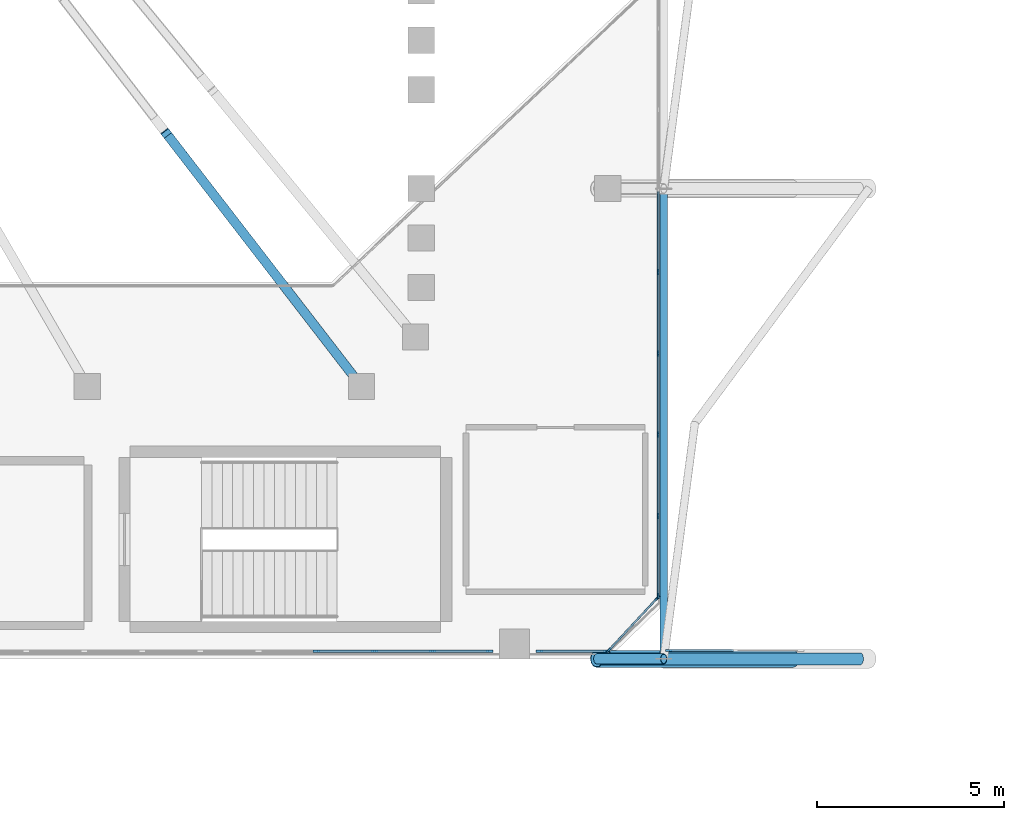
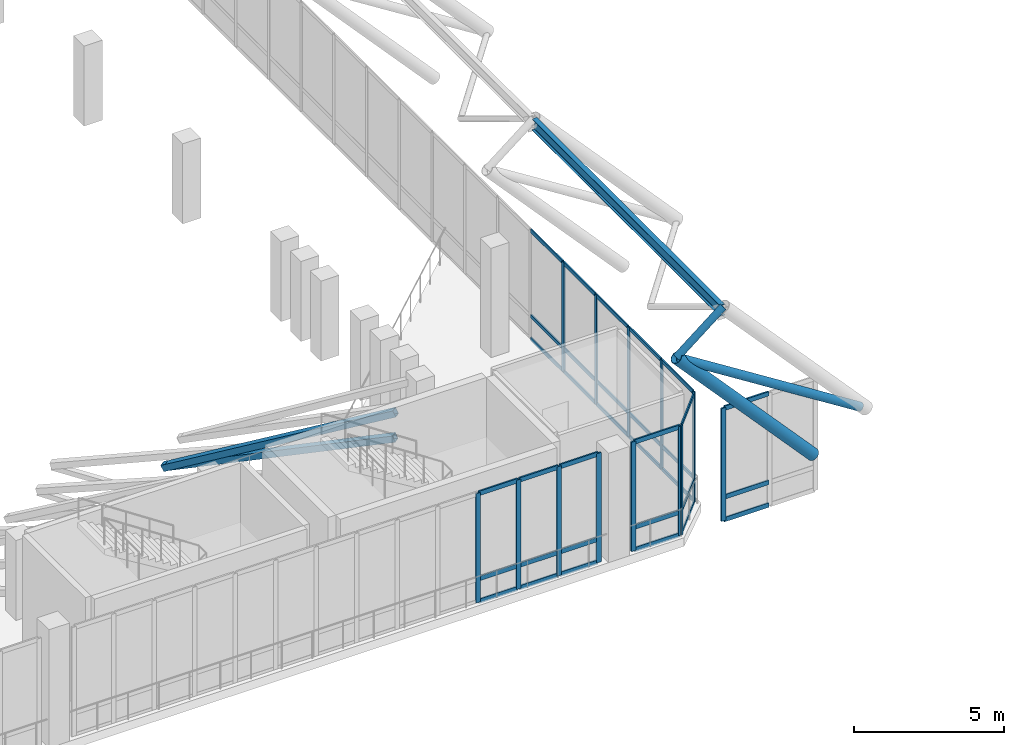
# One storey, part 16 of 79: 53 members, 5 elements without a shape of their own.
"""IFC4 building model written with IfcOpenShell, lengths in metres."""

from ifc_helpers import new_model, si_unit, derived_unit, direction, frame, origin, origin_2d, place, context, subcontext, project, spatial, rectangle, hollow_rectangle, hollow_circle, i_section, extrude, material, layer, layer_set, material_profile, profile_set, type_object, element, aggregate, save


model = new_model("IFC4")

# Units and contexts
model_context = context("Model", 3, precision=1e-05, world=origin(), true_north=direction((0.0, 1.0)))
body_context = subcontext(model_context, "Body", "Model", "MODEL_VIEW")
ifc_project = project(units=[si_unit("LENGTHUNIT", "METRE"), si_unit("AREAUNIT", "SQUARE_METRE"), si_unit("VOLUMEUNIT", "CUBIC_METRE"), si_unit("PLANEANGLEUNIT", "RADIAN"), si_unit("MASSUNIT", "GRAM", prefix="KILO"), derived_unit("THERMALTRANSMITTANCEUNIT", [(si_unit("MASSUNIT", "GRAM", prefix="KILO"), 1), (si_unit("TIMEUNIT", "SECOND"), -3), (si_unit("THERMODYNAMICTEMPERATUREUNIT", "KELVIN"), -1)])], contexts=[model_context])

# Site, building, storey
site_placement = place(None, origin())
site = spatial("IfcSite", under=ifc_project, at=site_placement, CompositionType="ELEMENT")
building_placement = place(site_placement, origin())
building = spatial("IfcBuilding", under=site, at=building_placement, Name="Valcora Ridge Arena", CompositionType="ELEMENT")
storey_placement = place(building_placement, frame((0.0, 0.0, 16.199951171875)))
storey = spatial("IfcBuildingStorey", under=building, at=storey_placement, Name="L03", CompositionType="ELEMENT", Elevation=16.199951171875)

# Curtain wall, members
ifc_material_1 = material(Name="Anodised dark bronze architectural aluminium 6063-T6", Category="aluminium")
ifc_layer_1 = layer(ifc_material_1, 0.14990234375, Name="Anodised dark bronze architectural aluminium 6063-T6")
ifc_layer_set_1 = layer_set([ifc_layer_1], Name="Anodised dark bronze architectural aluminium 6063-T6")
curtain_wall_type_1 = type_object("IfcCurtainWallType", Name="TY-CURTAINWALL-CW-V1-EAST-020X44", PredefinedType="NOTDEFINED", material=ifc_layer_set_1)
curtain_wall_1_placement = place(storey_placement, origin())
curtain_wall_1 = element("IfcCurtainWall", 1, at=curtain_wall_1_placement, inside=storey, type_object=curtain_wall_type_1, Name="CW-V1-EAST-020X44 CW-0146", PredefinedType="NOTDEFINED")
ifc_material_profile_1 = material_profile(ifc_material_1, rectangle(XDim=0.050048828125, YDim=0.14990234375, at=origin_2d()), Name="ALU MULLION 50x150")
ifc_profile_set_1 = profile_set([ifc_material_profile_1], Name="Anodised dark bronze architectural aluminium 6063-T6")
member_type_1 = type_object("IfcMemberType", Name="TY-MEM-CWM-50x150", PredefinedType="MULLION", material=ifc_profile_set_1)
member_1_placement = place(storey_placement, frame((94.01708984375, 20.21826171875, 0.0), z_axis=(0.0, 0.0, 1.0), x_axis=(-0.732782845829, 0.680462563892, 0.0)))
member_1 = element("IfcMember", 2, at=member_1_placement, type_object=member_type_1, Name="CW-0146/CWM-50x150/M00", PredefinedType="MULLION", context=body_context, shape_type="SweptSolid", body=[
    extrude(rectangle(XDim=0.050048828125, YDim=0.14990234375, at=origin_2d()), origin(), (0.0, 0.0, 1.0), 4.43994140625),
])
member_2_placement = place(storey_placement, frame((95.3330078125, 21.635498046875, 0.0), z_axis=(0.0, 0.0, 1.0), x_axis=(-0.732782845829, 0.680462563892, 0.0)))
member_2 = element("IfcMember", 3, at=member_2_placement, type_object=member_type_1, Name="CW-0146/CWM-50x150/M01", PredefinedType="MULLION", context=body_context, shape_type="SweptSolid", body=[
    extrude(rectangle(XDim=0.050048828125, YDim=0.14990234375, at=origin_2d()), origin(), (0.0, 0.0, 1.0), 4.43994140625),
])

ifc_layer_2 = layer(ifc_material_1, 0.14990234375, Name="Anodised dark bronze architectural aluminium 6063-T6")
ifc_layer_set_2 = layer_set([ifc_layer_2], Name="Anodised dark bronze architectural aluminium 6063-T6")
curtain_wall_type_2 = type_object("IfcCurtainWallType", Name="TY-CURTAINWALL-CW-V1-EAST-849X44", PredefinedType="NOTDEFINED", material=ifc_layer_set_2)
curtain_wall_2_placement = place(storey_placement, origin())
curtain_wall_2 = element("IfcCurtainWall", 4, at=curtain_wall_2_placement, inside=storey, type_object=curtain_wall_type_2, Name="CW-V1-EAST-849X44 CW-0147", PredefinedType="NOTDEFINED")
member_3_placement = place(storey_placement, frame((95.35009765625, 21.6787109375, 0.0), z_axis=(0.0, 0.0, 1.0), x_axis=(-1.0, 0.0, 0.0)))
member_3 = element("IfcMember", 5, at=member_3_placement, type_object=member_type_1, Name="CW-0147/CWM-50x150/M00", PredefinedType="MULLION", context=body_context, shape_type="SweptSolid", body=[
    extrude(rectangle(XDim=0.050048828125, YDim=0.14990234375, at=origin_2d()), origin(), (0.0, 0.0, 1.0), 4.43994140625),
])
member_4_placement = place(storey_placement, frame((95.35009765625, 23.83056640625, 0.0), z_axis=(0.0, 0.0, 1.0), x_axis=(-1.0, 0.0, 0.0)))
member_4 = element("IfcMember", 6, at=member_4_placement, type_object=member_type_1, Name="CW-0147/CWM-50x150/M01", PredefinedType="MULLION", context=body_context, shape_type="SweptSolid", body=[
    extrude(rectangle(XDim=0.050048828125, YDim=0.14990234375, at=origin_2d()), origin(), (0.0, 0.0, 1.0), 4.43994140625),
])
member_5_placement = place(storey_placement, frame((95.35009765625, 26.00732421875, 0.0), z_axis=(0.0, 0.0, 1.0), x_axis=(-1.0, 0.0, 0.0)))
member_5 = element("IfcMember", 7, at=member_5_placement, type_object=member_type_1, Name="CW-0147/CWM-50x150/M02", PredefinedType="MULLION", context=body_context, shape_type="SweptSolid", body=[
    extrude(rectangle(XDim=0.050048828125, YDim=0.14990234375, at=origin_2d()), origin(), (0.0, 0.0, 1.0), 4.43994140625),
])
member_6_placement = place(storey_placement, frame((95.35009765625, 28.18408203125, 0.0), z_axis=(0.0, 0.0, 1.0), x_axis=(-1.0, 0.0, 0.0)))
member_6 = element("IfcMember", 8, at=member_6_placement, type_object=member_type_1, Name="CW-0147/CWM-50x150/M03", PredefinedType="MULLION", context=body_context, shape_type="SweptSolid", body=[
    extrude(rectangle(XDim=0.050048828125, YDim=0.14990234375, at=origin_2d()), origin(), (0.0, 0.0, 1.0), 4.43994140625),
])
member_7_placement = place(storey_placement, frame((95.35009765625, 30.360595703125, 0.0), z_axis=(0.0, 0.0, 1.0), x_axis=(-1.0, 0.0, 0.0)))
member_7 = element("IfcMember", 9, at=member_7_placement, type_object=member_type_1, Name="CW-0147/CWM-50x150/M04", PredefinedType="MULLION", context=body_context, shape_type="SweptSolid", body=[
    extrude(rectangle(XDim=0.050048828125, YDim=0.14990234375, at=origin_2d()), origin(), (0.0, 0.0, 1.0), 4.43994140625),
])

ifc_layer_3 = layer(ifc_material_1, 0.179931640625, Name="Anodised dark bronze architectural aluminium 6063-T6")
ifc_layer_set_3 = layer_set([ifc_layer_3], Name="Anodised dark bronze architectural aluminium 6063-T6")
curtain_wall_type_3 = type_object("IfcCurtainWallType", Name="TY-CURTAINWALL-CW-V1-GOTH-202X44", PredefinedType="NOTDEFINED", material=ifc_layer_set_3)
curtain_wall_3_placement = place(storey_placement, origin())
curtain_wall_3 = element("IfcCurtainWall", 10, at=curtain_wall_3_placement, inside=storey, type_object=curtain_wall_type_3, Name="CW-V1-GOTH-202X44 CW-0140", PredefinedType="NOTDEFINED")
ifc_material_profile_2 = material_profile(ifc_material_1, rectangle(XDim=0.06005859375, YDim=0.179931640625, at=origin_2d()), Name="ALU MULLION 60x180")
ifc_profile_set_2 = profile_set([ifc_material_profile_2], Name="Anodised dark bronze architectural aluminium 6063-T6")
member_type_2 = type_object("IfcMemberType", Name="TY-MEM-CWM-60x180", PredefinedType="MULLION", material=ifc_profile_set_2)
member_8_placement = place(storey_placement, frame((86.19384765625, 20.199951171875, 0.0), z_axis=(0.0, 0.0, 1.0), x_axis=(0.0, 1.0, 0.0)))
member_8 = element("IfcMember", 11, at=member_8_placement, type_object=member_type_2, Name="CW-0140/CWM-60x180/M10", PredefinedType="MULLION", context=body_context, shape_type="SweptSolid", body=[
    extrude(rectangle(XDim=0.06005859375, YDim=0.179931640625, at=origin_2d()), origin(), (0.0, 0.0, 1.0), 4.43994140625),
])
member_9_placement = place(storey_placement, frame((87.749267578125, 20.199951171875, 0.0), z_axis=(0.0, 0.0, 1.0), x_axis=(0.0, 1.0, 0.0)))
member_9 = element("IfcMember", 12, at=member_9_placement, type_object=member_type_2, Name="CW-0140/CWM-60x180/M11", PredefinedType="MULLION", context=body_context, shape_type="SweptSolid", body=[
    extrude(rectangle(XDim=0.06005859375, YDim=0.179931640625, at=origin_2d()), origin(), (0.0, 0.0, 1.0), 4.43994140625),
])
member_10_placement = place(storey_placement, frame((89.3046875, 20.199951171875, 0.0), z_axis=(0.0, 0.0, 1.0), x_axis=(0.0, 1.0, 0.0)))
member_10 = element("IfcMember", 13, at=member_10_placement, type_object=member_type_2, Name="CW-0140/CWM-60x180/M12", PredefinedType="MULLION", context=body_context, shape_type="SweptSolid", body=[
    extrude(rectangle(XDim=0.06005859375, YDim=0.179931640625, at=origin_2d()), origin(), (0.0, 0.0, 1.0), 4.43994140625),
])
member_11_placement = place(storey_placement, frame((90.830078125, 20.199951171875, 0.0), z_axis=(0.0, 0.0, 1.0), x_axis=(0.0, 1.0, 0.0)))
member_11 = element("IfcMember", 14, at=member_11_placement, type_object=member_type_2, Name="CW-0140/CWM-60x180/M13", PredefinedType="MULLION", context=body_context, shape_type="SweptSolid", body=[
    extrude(rectangle(XDim=0.06005859375, YDim=0.179931640625, at=origin_2d()), origin(), (0.0, 0.0, 1.0), 4.43994140625),
])

ifc_layer_4 = layer(ifc_material_1, 0.179931640625, Name="Anodised dark bronze architectural aluminium 6063-T6")
ifc_layer_set_4 = layer_set([ifc_layer_4], Name="Anodised dark bronze architectural aluminium 6063-T6")
curtain_wall_type_4 = type_object("IfcCurtainWallType", Name="TY-CURTAINWALL-CW-V1-GOTH-019X44", PredefinedType="NOTDEFINED", material=ifc_layer_set_4)
curtain_wall_4_placement = place(storey_placement, origin())
curtain_wall_4 = element("IfcCurtainWall", 15, at=curtain_wall_4_placement, inside=storey, type_object=curtain_wall_type_4, Name="CW-V1-GOTH-019X44 CW-0141", PredefinedType="NOTDEFINED")
member_12_placement = place(storey_placement, frame((92.169921875, 20.199951171875, 0.0), z_axis=(0.0, 0.0, 1.0), x_axis=(0.0, 1.0, 0.0)))
member_12 = element("IfcMember", 16, at=member_12_placement, type_object=member_type_2, Name="CW-0141/CWM-60x180/M00", PredefinedType="MULLION", context=body_context, shape_type="SweptSolid", body=[
    extrude(rectangle(XDim=0.06005859375, YDim=0.179931640625, at=origin_2d()), origin(), (0.0, 0.0, 1.0), 4.43994140625),
])
member_13_placement = place(storey_placement, frame((93.969970703125, 20.199951171875, 0.0), z_axis=(0.0, 0.0, 1.0), x_axis=(0.0, 1.0, 0.0)))
member_13 = element("IfcMember", 17, at=member_13_placement, type_object=member_type_2, Name="CW-0141/CWM-60x180/M01", PredefinedType="MULLION", context=body_context, shape_type="SweptSolid", body=[
    extrude(rectangle(XDim=0.06005859375, YDim=0.179931640625, at=origin_2d()), origin(), (0.0, 0.0, 1.0), 4.43994140625),
])

# Curtain wall, member
ifc_layer_5 = layer(ifc_material_1, 0.179931640625, Name="Anodised dark bronze architectural aluminium 6063-T6")
ifc_layer_set_5 = layer_set([ifc_layer_5], Name="Anodised dark bronze architectural aluminium 6063-T6")
curtain_wall_type_5 = type_object("IfcCurtainWallType", Name="TY-CURTAINWALL-CW-V1-TYMPS-036X46", PredefinedType="NOTDEFINED", material=ifc_layer_set_5)
curtain_wall_5_placement = place(storey_placement, origin())
curtain_wall_5 = element("IfcCurtainWall", 18, at=curtain_wall_5_placement, inside=storey, type_object=curtain_wall_type_5, Name="CW-V1-TYMPS-036X46 CW-0182", PredefinedType="NOTDEFINED")
member_14_placement = place(storey_placement, frame((95.6298828125, 20.219970703125, 0.0), z_axis=(0.0, 0.0, 1.0), x_axis=(0.0, 1.0, 0.0)))
member_14 = element("IfcMember", 19, at=member_14_placement, type_object=member_type_2, Name="CW-0182/CWM-60x180/M00", PredefinedType="MULLION", context=body_context, shape_type="SweptSolid", body=[
    extrude(rectangle(XDim=0.06005859375, YDim=0.179931640625, at=origin_2d()), origin(), (0.0, 0.0, 1.0), 4.579345703125),
])

# Member
ifc_material_profile_3 = material_profile(ifc_material_1, rectangle(XDim=0.050048828125, YDim=0.14990234375, at=origin_2d()), Name="ALU TRANSOM 50x150")
ifc_profile_set_3 = profile_set([ifc_material_profile_3], Name="Anodised dark bronze architectural aluminium 6063-T6")
member_type_3 = type_object("IfcMemberType", Name="TY-MEM-CWT-50x150", PredefinedType="USERDEFINED", material=ifc_profile_set_3)
member_15_placement = place(storey_placement, frame((94.033935546875, 20.236572265625, 0.025146484375), z_axis=(0.680446129002, 0.732798106934, 0.0), x_axis=(-0.732798106934, 0.680446129002, 0.0)))
member_15 = element("IfcMember", 20, at=member_15_placement, type_object=member_type_3, Name="CW-0146/CWT-50x150/T00-00", ObjectType="TRANSOM", PredefinedType="USERDEFINED", context=body_context, shape_type="SweptSolid", body=[
    extrude(rectangle(XDim=0.050048828125, YDim=0.14990234375, at=origin_2d()), origin(), (0.0, 0.0, 1.0), 1.884033203125),
])

member_16_placement = place(storey_placement, frame((94.033935546875, 20.236572265625, 0.949951171875), z_axis=(0.680446129002, 0.732798106934, 0.0), x_axis=(-0.732798106934, 0.680446129002, 0.0)))
member_16 = element("IfcMember", 21, at=member_16_placement, type_object=member_type_3, Name="CW-0146/CWT-50x150/T00-01", ObjectType="TRANSOM", PredefinedType="USERDEFINED", context=body_context, shape_type="SweptSolid", body=[
    extrude(rectangle(XDim=0.050048828125, YDim=0.14990234375, at=origin_2d()), origin(), (0.0, 0.0, 1.0), 1.884033203125),
])

member_17_placement = place(storey_placement, frame((94.033935546875, 20.236572265625, 4.4150390625), z_axis=(0.680446129002, 0.732798106934, 0.0), x_axis=(-0.732798106934, 0.680446129002, 0.0)))
member_17 = element("IfcMember", 22, at=member_17_placement, type_object=member_type_3, Name="CW-0146/CWT-50x150/T00-02", ObjectType="TRANSOM", PredefinedType="USERDEFINED", context=body_context, shape_type="SweptSolid", body=[
    extrude(rectangle(XDim=0.050048828125, YDim=0.14990234375, at=origin_2d()), origin(), (0.0, 0.0, 1.0), 1.884033203125),
])

aggregate(curtain_wall_1, [member_1, member_2, member_15, member_16, member_17])

member_18_placement = place(storey_placement, frame((95.35009765625, 21.703857421875, 0.025146484375), z_axis=(0.0, 1.0, 0.0), x_axis=(-1.0, 0.0, 0.0)))
member_18 = element("IfcMember", 23, at=member_18_placement, type_object=member_type_3, Name="CW-0147/CWT-50x150/T00-00", ObjectType="TRANSOM", PredefinedType="USERDEFINED", context=body_context, shape_type="SweptSolid", body=[
    extrude(rectangle(XDim=0.050048828125, YDim=0.14990234375, at=origin_2d()), origin(), (0.0, 0.0, 1.0), 2.10205078125),
])

member_19_placement = place(storey_placement, frame((95.35009765625, 21.703857421875, 0.949951171875), z_axis=(0.0, 1.0, 0.0), x_axis=(-1.0, 0.0, 0.0)))
member_19 = element("IfcMember", 24, at=member_19_placement, type_object=member_type_3, Name="CW-0147/CWT-50x150/T00-01", ObjectType="TRANSOM", PredefinedType="USERDEFINED", context=body_context, shape_type="SweptSolid", body=[
    extrude(rectangle(XDim=0.050048828125, YDim=0.14990234375, at=origin_2d()), origin(), (0.0, 0.0, 1.0), 2.10205078125),
])

member_20_placement = place(storey_placement, frame((95.35009765625, 21.703857421875, 4.4150390625), z_axis=(0.0, 1.0, 0.0), x_axis=(-1.0, 0.0, 0.0)))
member_20 = element("IfcMember", 25, at=member_20_placement, type_object=member_type_3, Name="CW-0147/CWT-50x150/T00-02", ObjectType="TRANSOM", PredefinedType="USERDEFINED", context=body_context, shape_type="SweptSolid", body=[
    extrude(rectangle(XDim=0.050048828125, YDim=0.14990234375, at=origin_2d()), origin(), (0.0, 0.0, 1.0), 2.10205078125),
])

member_21_placement = place(storey_placement, frame((95.35009765625, 23.855712890625, 0.025146484375), z_axis=(0.0, 1.0, 0.0), x_axis=(-1.0, 0.0, 0.0)))
member_21 = element("IfcMember", 26, at=member_21_placement, type_object=member_type_3, Name="CW-0147/CWT-50x150/T01-00", ObjectType="TRANSOM", PredefinedType="USERDEFINED", context=body_context, shape_type="SweptSolid", body=[
    extrude(rectangle(XDim=0.050048828125, YDim=0.14990234375, at=origin_2d()), origin(), (0.0, 0.0, 1.0), 2.1259765625),
])

member_22_placement = place(storey_placement, frame((95.35009765625, 23.855712890625, 0.949951171875), z_axis=(0.0, 1.0, 0.0), x_axis=(-1.0, 0.0, 0.0)))
member_22 = element("IfcMember", 27, at=member_22_placement, type_object=member_type_3, Name="CW-0147/CWT-50x150/T01-01", ObjectType="TRANSOM", PredefinedType="USERDEFINED", context=body_context, shape_type="SweptSolid", body=[
    extrude(rectangle(XDim=0.050048828125, YDim=0.14990234375, at=origin_2d()), origin(), (0.0, 0.0, 1.0), 2.1259765625),
])

member_23_placement = place(storey_placement, frame((95.35009765625, 23.855712890625, 4.4150390625), z_axis=(0.0, 1.0, 0.0), x_axis=(-1.0, 0.0, 0.0)))
member_23 = element("IfcMember", 28, at=member_23_placement, type_object=member_type_3, Name="CW-0147/CWT-50x150/T01-02", ObjectType="TRANSOM", PredefinedType="USERDEFINED", context=body_context, shape_type="SweptSolid", body=[
    extrude(rectangle(XDim=0.050048828125, YDim=0.14990234375, at=origin_2d()), origin(), (0.0, 0.0, 1.0), 2.1259765625),
])

member_24_placement = place(storey_placement, frame((95.35009765625, 26.03173828125, 0.025146484375), z_axis=(0.0, 1.0, 0.0), x_axis=(-1.0, 0.0, 0.0)))
member_24 = element("IfcMember", 29, at=member_24_placement, type_object=member_type_3, Name="CW-0147/CWT-50x150/T02-00", ObjectType="TRANSOM", PredefinedType="USERDEFINED", context=body_context, shape_type="SweptSolid", body=[
    extrude(rectangle(XDim=0.050048828125, YDim=0.14990234375, at=origin_2d()), origin(), (0.0, 0.0, 1.0), 2.126953125),
])

member_25_placement = place(storey_placement, frame((95.35009765625, 26.03173828125, 0.949951171875), z_axis=(0.0, 1.0, 0.0), x_axis=(-1.0, 0.0, 0.0)))
member_25 = element("IfcMember", 30, at=member_25_placement, type_object=member_type_3, Name="CW-0147/CWT-50x150/T02-01", ObjectType="TRANSOM", PredefinedType="USERDEFINED", context=body_context, shape_type="SweptSolid", body=[
    extrude(rectangle(XDim=0.050048828125, YDim=0.14990234375, at=origin_2d()), origin(), (0.0, 0.0, 1.0), 2.126953125),
])

member_26_placement = place(storey_placement, frame((95.35009765625, 26.03173828125, 4.4150390625), z_axis=(0.0, 1.0, 0.0), x_axis=(-1.0, 0.0, 0.0)))
member_26 = element("IfcMember", 31, at=member_26_placement, type_object=member_type_3, Name="CW-0147/CWT-50x150/T02-02", ObjectType="TRANSOM", PredefinedType="USERDEFINED", context=body_context, shape_type="SweptSolid", body=[
    extrude(rectangle(XDim=0.050048828125, YDim=0.14990234375, at=origin_2d()), origin(), (0.0, 0.0, 1.0), 2.126953125),
])

member_27_placement = place(storey_placement, frame((95.35009765625, 28.208740234375, 0.025146484375), z_axis=(0.0, 1.0, 0.0), x_axis=(-1.0, 0.0, 0.0)))
member_27 = element("IfcMember", 32, at=member_27_placement, type_object=member_type_3, Name="CW-0147/CWT-50x150/T03-00", ObjectType="TRANSOM", PredefinedType="USERDEFINED", context=body_context, shape_type="SweptSolid", body=[
    extrude(rectangle(XDim=0.050048828125, YDim=0.14990234375, at=origin_2d()), origin(), (0.0, 0.0, 1.0), 2.126953125),
])

member_28_placement = place(storey_placement, frame((95.35009765625, 28.208740234375, 0.949951171875), z_axis=(0.0, 1.0, 0.0), x_axis=(-1.0, 0.0, 0.0)))
member_28 = element("IfcMember", 33, at=member_28_placement, type_object=member_type_3, Name="CW-0147/CWT-50x150/T03-01", ObjectType="TRANSOM", PredefinedType="USERDEFINED", context=body_context, shape_type="SweptSolid", body=[
    extrude(rectangle(XDim=0.050048828125, YDim=0.14990234375, at=origin_2d()), origin(), (0.0, 0.0, 1.0), 2.126953125),
])

member_29_placement = place(storey_placement, frame((95.35009765625, 28.208740234375, 4.4150390625), z_axis=(0.0, 1.0, 0.0), x_axis=(-1.0, 0.0, 0.0)))
member_29 = element("IfcMember", 34, at=member_29_placement, type_object=member_type_3, Name="CW-0147/CWT-50x150/T03-02", ObjectType="TRANSOM", PredefinedType="USERDEFINED", context=body_context, shape_type="SweptSolid", body=[
    extrude(rectangle(XDim=0.050048828125, YDim=0.14990234375, at=origin_2d()), origin(), (0.0, 0.0, 1.0), 2.126953125),
])

member_30_placement = place(storey_placement, frame((95.35009765625, 30.3857421875, 0.025146484375), z_axis=(0.0, 1.0, 0.0), x_axis=(-1.0, 0.0, 0.0)))
member_30 = element("IfcMember", 35, at=member_30_placement, type_object=member_type_3, Name="CW-0147/CWT-50x150/T04-00", ObjectType="TRANSOM", PredefinedType="USERDEFINED", context=body_context, shape_type="SweptSolid", body=[
    extrude(rectangle(XDim=0.050048828125, YDim=0.14990234375, at=origin_2d()), origin(), (0.0, 0.0, 1.0), 2.126953125),
])

member_31_placement = place(storey_placement, frame((95.35009765625, 30.3857421875, 0.949951171875), z_axis=(0.0, 1.0, 0.0), x_axis=(-1.0, 0.0, 0.0)))
member_31 = element("IfcMember", 36, at=member_31_placement, type_object=member_type_3, Name="CW-0147/CWT-50x150/T04-01", ObjectType="TRANSOM", PredefinedType="USERDEFINED", context=body_context, shape_type="SweptSolid", body=[
    extrude(rectangle(XDim=0.050048828125, YDim=0.14990234375, at=origin_2d()), origin(), (0.0, 0.0, 1.0), 2.126953125),
])

member_32_placement = place(storey_placement, frame((95.35009765625, 30.3857421875, 4.4150390625), z_axis=(0.0, 1.0, 0.0), x_axis=(-1.0, 0.0, 0.0)))
member_32 = element("IfcMember", 37, at=member_32_placement, type_object=member_type_3, Name="CW-0147/CWT-50x150/T04-02", ObjectType="TRANSOM", PredefinedType="USERDEFINED", context=body_context, shape_type="SweptSolid", body=[
    extrude(rectangle(XDim=0.050048828125, YDim=0.14990234375, at=origin_2d()), origin(), (0.0, 0.0, 1.0), 2.126953125),
])

aggregate(curtain_wall_2, [member_3, member_4, member_5, member_6, member_7, member_18, member_19, member_20, member_21, member_22, member_23, member_24, member_25, member_26, member_27, member_28, member_29, member_30, member_31, member_32])

ifc_material_profile_4 = material_profile(ifc_material_1, rectangle(XDim=0.06005859375, YDim=0.179931640625, at=origin_2d()), Name="ALU TRANSOM 60x180")
ifc_profile_set_4 = profile_set([ifc_material_profile_4], Name="Anodised dark bronze architectural aluminium 6063-T6")
member_type_4 = type_object("IfcMemberType", Name="TY-MEM-CWT-60x180", PredefinedType="USERDEFINED", material=ifc_profile_set_4)
member_33_placement = place(storey_placement, frame((86.22412109375, 20.199951171875, 0.030029296875), z_axis=(1.0, 0.0, 0.0), x_axis=(0.0, 1.0, 0.0)))
member_33 = element("IfcMember", 38, at=member_33_placement, type_object=member_type_4, Name="CW-0140/CWT-60x180/T10-00", ObjectType="TRANSOM", PredefinedType="USERDEFINED", context=body_context, shape_type="SweptSolid", body=[
    extrude(rectangle(XDim=0.06005859375, YDim=0.179931640625, at=origin_2d()), origin(), (0.0, 0.0, 1.0), 1.494873046875),
])

member_34_placement = place(storey_placement, frame((86.22412109375, 20.199951171875, 0.949951171875), z_axis=(1.0, 0.0, 0.0), x_axis=(0.0, 1.0, 0.0)))
member_34 = element("IfcMember", 39, at=member_34_placement, type_object=member_type_4, Name="CW-0140/CWT-60x180/T10-01", ObjectType="TRANSOM", PredefinedType="USERDEFINED", context=body_context, shape_type="SweptSolid", body=[
    extrude(rectangle(XDim=0.06005859375, YDim=0.179931640625, at=origin_2d()), origin(), (0.0, 0.0, 1.0), 1.494873046875),
])

member_35_placement = place(storey_placement, frame((86.22412109375, 20.199951171875, 4.41015625), z_axis=(1.0, 0.0, 0.0), x_axis=(0.0, 1.0, 0.0)))
member_35 = element("IfcMember", 40, at=member_35_placement, type_object=member_type_4, Name="CW-0140/CWT-60x180/T10-02", ObjectType="TRANSOM", PredefinedType="USERDEFINED", context=body_context, shape_type="SweptSolid", body=[
    extrude(rectangle(XDim=0.06005859375, YDim=0.179931640625, at=origin_2d()), origin(), (0.0, 0.0, 1.0), 1.494873046875),
])

member_36_placement = place(storey_placement, frame((87.779052734375, 20.199951171875, 0.030029296875), z_axis=(1.0, 0.0, 0.0), x_axis=(0.0, 1.0, 0.0)))
member_36 = element("IfcMember", 41, at=member_36_placement, type_object=member_type_4, Name="CW-0140/CWT-60x180/T11-00", ObjectType="TRANSOM", PredefinedType="USERDEFINED", context=body_context, shape_type="SweptSolid", body=[
    extrude(rectangle(XDim=0.06005859375, YDim=0.179931640625, at=origin_2d()), origin(), (0.0, 0.0, 1.0), 1.495849609375),
])

member_37_placement = place(storey_placement, frame((87.779052734375, 20.199951171875, 0.949951171875), z_axis=(1.0, 0.0, 0.0), x_axis=(0.0, 1.0, 0.0)))
member_37 = element("IfcMember", 42, at=member_37_placement, type_object=member_type_4, Name="CW-0140/CWT-60x180/T11-01", ObjectType="TRANSOM", PredefinedType="USERDEFINED", context=body_context, shape_type="SweptSolid", body=[
    extrude(rectangle(XDim=0.06005859375, YDim=0.179931640625, at=origin_2d()), origin(), (0.0, 0.0, 1.0), 1.495849609375),
])

member_38_placement = place(storey_placement, frame((87.779052734375, 20.199951171875, 4.41015625), z_axis=(1.0, 0.0, 0.0), x_axis=(0.0, 1.0, 0.0)))
member_38 = element("IfcMember", 43, at=member_38_placement, type_object=member_type_4, Name="CW-0140/CWT-60x180/T11-02", ObjectType="TRANSOM", PredefinedType="USERDEFINED", context=body_context, shape_type="SweptSolid", body=[
    extrude(rectangle(XDim=0.06005859375, YDim=0.179931640625, at=origin_2d()), origin(), (0.0, 0.0, 1.0), 1.495849609375),
])

member_39_placement = place(storey_placement, frame((89.3349609375, 20.199951171875, 0.030029296875), z_axis=(1.0, 0.0, 0.0), x_axis=(0.0, 1.0, 0.0)))
member_39 = element("IfcMember", 44, at=member_39_placement, type_object=member_type_4, Name="CW-0140/CWT-60x180/T12-00", ObjectType="TRANSOM", PredefinedType="USERDEFINED", context=body_context, shape_type="SweptSolid", body=[
    extrude(rectangle(XDim=0.06005859375, YDim=0.179931640625, at=origin_2d()), origin(), (0.0, 0.0, 1.0), 1.465087890625),
])

member_40_placement = place(storey_placement, frame((89.3349609375, 20.199951171875, 0.949951171875), z_axis=(1.0, 0.0, 0.0), x_axis=(0.0, 1.0, 0.0)))
member_40 = element("IfcMember", 45, at=member_40_placement, type_object=member_type_4, Name="CW-0140/CWT-60x180/T12-01", ObjectType="TRANSOM", PredefinedType="USERDEFINED", context=body_context, shape_type="SweptSolid", body=[
    extrude(rectangle(XDim=0.06005859375, YDim=0.179931640625, at=origin_2d()), origin(), (0.0, 0.0, 1.0), 1.465087890625),
])

member_41_placement = place(storey_placement, frame((89.3349609375, 20.199951171875, 4.41015625), z_axis=(1.0, 0.0, 0.0), x_axis=(0.0, 1.0, 0.0)))
member_41 = element("IfcMember", 46, at=member_41_placement, type_object=member_type_4, Name="CW-0140/CWT-60x180/T12-02", ObjectType="TRANSOM", PredefinedType="USERDEFINED", context=body_context, shape_type="SweptSolid", body=[
    extrude(rectangle(XDim=0.06005859375, YDim=0.179931640625, at=origin_2d()), origin(), (0.0, 0.0, 1.0), 1.465087890625),
])

aggregate(curtain_wall_3, [member_8, member_9, member_10, member_11, member_33, member_34, member_35, member_36, member_37, member_38, member_39, member_40, member_41])

member_42_placement = place(storey_placement, frame((92.199951171875, 20.199951171875, 0.030029296875), z_axis=(1.0, 0.0, 0.0), x_axis=(0.0, 1.0, 0.0)))
member_42 = element("IfcMember", 47, at=member_42_placement, type_object=member_type_4, Name="CW-0141/CWT-60x180/T00-00", ObjectType="TRANSOM", PredefinedType="USERDEFINED", context=body_context, shape_type="SweptSolid", body=[
    extrude(rectangle(XDim=0.06005859375, YDim=0.179931640625, at=origin_2d()), origin(), (0.0, 0.0, 1.0), 1.739990234375),
])

member_43_placement = place(storey_placement, frame((92.199951171875, 20.199951171875, 0.949951171875), z_axis=(1.0, 0.0, 0.0), x_axis=(0.0, 1.0, 0.0)))
member_43 = element("IfcMember", 48, at=member_43_placement, type_object=member_type_4, Name="CW-0141/CWT-60x180/T00-01", ObjectType="TRANSOM", PredefinedType="USERDEFINED", context=body_context, shape_type="SweptSolid", body=[
    extrude(rectangle(XDim=0.06005859375, YDim=0.179931640625, at=origin_2d()), origin(), (0.0, 0.0, 1.0), 1.739990234375),
])

member_44_placement = place(storey_placement, frame((92.199951171875, 20.199951171875, 4.41015625), z_axis=(1.0, 0.0, 0.0), x_axis=(0.0, 1.0, 0.0)))
member_44 = element("IfcMember", 49, at=member_44_placement, type_object=member_type_4, Name="CW-0141/CWT-60x180/T00-02", ObjectType="TRANSOM", PredefinedType="USERDEFINED", context=body_context, shape_type="SweptSolid", body=[
    extrude(rectangle(XDim=0.06005859375, YDim=0.179931640625, at=origin_2d()), origin(), (0.0, 0.0, 1.0), 1.739990234375),
])

aggregate(curtain_wall_4, [member_12, member_13, member_42, member_43, member_44])

member_45_placement = place(storey_placement, frame((95.659912109375, 20.219970703125, 0.030029296875), z_axis=(1.0, 0.0, 0.0), x_axis=(0.0, 1.0, 0.0)))
member_45 = element("IfcMember", 50, at=member_45_placement, type_object=member_type_4, Name="CW-0182/CWT-60x180/T00-00", ObjectType="TRANSOM", PredefinedType="USERDEFINED", context=body_context, shape_type="SweptSolid", body=[
    extrude(rectangle(XDim=0.06005859375, YDim=0.179931640625, at=origin_2d()), origin(), (0.0, 0.0, 1.0), 1.710205078125),
])

member_46_placement = place(storey_placement, frame((95.659912109375, 20.219970703125, 0.949951171875), z_axis=(1.0, 0.0, 0.0), x_axis=(0.0, 1.0, 0.0)))
member_46 = element("IfcMember", 51, at=member_46_placement, type_object=member_type_4, Name="CW-0182/CWT-60x180/T00-01", ObjectType="TRANSOM", PredefinedType="USERDEFINED", context=body_context, shape_type="SweptSolid", body=[
    extrude(rectangle(XDim=0.06005859375, YDim=0.179931640625, at=origin_2d()), origin(), (0.0, 0.0, 1.0), 1.710205078125),
])

member_47_placement = place(storey_placement, frame((95.659912109375, 20.219970703125, 4.549560546875), z_axis=(1.0, 0.0, 0.0), x_axis=(0.0, 1.0, 0.0)))
member_47 = element("IfcMember", 52, at=member_47_placement, type_object=member_type_4, Name="CW-0182/CWT-60x180/T00-02", ObjectType="TRANSOM", PredefinedType="USERDEFINED", context=body_context, shape_type="SweptSolid", body=[
    extrude(rectangle(XDim=0.06005859375, YDim=0.179931640625, at=origin_2d()), origin(), (0.0, 0.0, 1.0), 1.710205078125),
])

aggregate(curtain_wall_5, [member_14, member_45, member_46, member_47])

# Members
ifc_material_2 = material(Name="Steel ASTM A572 Grade 50", Category="steel")
ifc_material_profile_5 = material_profile(ifc_material_2, i_section(OverallWidth=0.18994140625, OverallDepth=0.45703125, WebThickness=0.009033203125, FlangeThickness=0.014404296875, FilletRadius=0.014892578125, at=origin_2d()), Name="W18X50")
ifc_profile_set_5 = profile_set([ifc_material_profile_5], Name="Steel ASTM A572 Grade 50")
member_type_5 = type_object("IfcMemberType", Name="TY-MEMBER-PUR-W18X50", PredefinedType="PURLIN", material=ifc_profile_set_5)
member_48_placement = place(storey_placement, frame((95.5, 20.050048828125, 8.67724609375), z_axis=(0.0, 1.0, 0.0), x_axis=(-1.0, 0.0, 0.0)))
element("IfcMember", 53, at=member_48_placement, inside=storey, type_object=member_type_5, Name="PUR-W18X50 SF-PR-PUR-W18X50-0012", PredefinedType="PURLIN", context=body_context, shape_type="SweptSolid", body=[
    extrude(i_section(OverallWidth=0.18994140625, OverallDepth=0.45703125, WebThickness=0.009033203125, FlangeThickness=0.014404296875, FilletRadius=0.014892578125, at=origin_2d()), origin(), (0.0, 0.0, 1.0), 12.5),
])
ifc_material_3 = material(Name="Steel ASTM A500 Grade C", Category="steel")
ifc_material_profile_6 = material_profile(ifc_material_3, hollow_rectangle(XDim=0.25, YDim=0.25, WallThickness=0.012451171875, at=origin_2d()), Name="HSS250X250X12")
ifc_profile_set_6 = profile_set([ifc_material_profile_6], Name="Steel ASTM A500 Grade C")
member_type_6 = type_object("IfcMemberType", Name="TY-MEMBER-RKRUC-251", PredefinedType="CHORD", material=ifc_profile_set_6)
member_49_placement = place(storey_placement, frame((82.15087890625, 34.104248046875, -1.5185546875), z_axis=(0.539339010653, -0.699110637887, 0.469422781277), x_axis=(0.791768513039, 0.610821268261, 0.0)))
element("IfcMember", 54, at=member_49_placement, inside=storey, type_object=member_type_6, Name="RKRUC-251 MBR-RK-RKRUC-251-0009", PredefinedType="CHORD", context=body_context, shape_type="SweptSolid", body=[
    extrude(hollow_rectangle(XDim=0.25, YDim=0.25, WallThickness=0.012451171875, at=origin_2d()), origin(), (0.0, 0.0, 1.0), 9.45263671875),
])
ifc_material_profile_7 = material_profile(ifc_material_3, hollow_rectangle(XDim=0.25, YDim=0.25, WallThickness=0.012451171875, at=origin_2d()), Name="HSS250X250X12")
ifc_profile_set_7 = profile_set([ifc_material_profile_7], Name="Steel ASTM A500 Grade C")
member_type_7 = type_object("IfcMemberType", Name="TY-MEMBER-RKRUT-250", PredefinedType="BRACE", material=ifc_profile_set_7)
member_50_placement = place(storey_placement, frame((82.158447265625, 34.0947265625, -1.494384765625), z_axis=(0.565701100099, -0.733311209436, 0.377143123312), x_axis=(0.791780228759, 0.610806081622, 0.0)))
element("IfcMember", 55, at=member_50_placement, inside=storey, type_object=member_type_7, Name="RKRUT-250 Raker Tie Brace", PredefinedType="BRACE", context=body_context, shape_type="SweptSolid", body=[
    extrude(hollow_rectangle(XDim=0.25, YDim=0.25, WallThickness=0.012451171875, at=origin_2d()), origin(), (0.0, 0.0, 1.0), 8.98583984375),
])
ifc_material_profile_8 = material_profile(ifc_material_3, hollow_circle(Radius=0.228515625, WallThickness=0.01611328125, at=origin_2d()), Name="CHS457X16")
ifc_profile_set_8 = profile_set([ifc_material_profile_8], Name="Steel ASTM A500 Grade C")
member_type_8 = type_object("IfcMemberType", Name="TY-MEMBER-SFBC-457", PredefinedType="CHORD", material=ifc_profile_set_8)
member_51_placement = place(storey_placement, frame((93.705322265625, 20.0, 7.423095703125), z_axis=(0.672624540647, 0.0, -0.739983937204), x_axis=(0.0, 1.0, 0.0)))
element("IfcMember", 56, at=member_51_placement, inside=storey, type_object=member_type_8, Name="SFBC-457 Space Frame Bottom Chord", PredefinedType="CHORD", context=body_context, shape_type="SweptSolid", body=[
    extrude(hollow_circle(Radius=0.228515625, WallThickness=0.01611328125, at=origin_2d()), origin(), (0.0, 0.0, 1.0), 7.80712890625),
])
ifc_material_profile_9 = material_profile(ifc_material_3, hollow_circle(Radius=0.136474609375, WallThickness=0.012451171875, at=origin_2d()), Name="CHS273X12")
ifc_profile_set_9 = profile_set([ifc_material_profile_9], Name="Steel ASTM A500 Grade C")
member_type_9 = type_object("IfcMemberType", Name="TY-MEMBER-SFKP-273", PredefinedType="POST", material=ifc_profile_set_9)
member_52_placement = place(storey_placement, frame((93.705322265625, 20.0, 7.423095703125), z_axis=(0.78184324525, 0.0, 0.623475051511), x_axis=(0.0, 1.0, 0.0)))
element("IfcMember", 57, at=member_52_placement, inside=storey, type_object=member_type_9, Name="SFKP-273 Space Frame King Post", PredefinedType="POST", context=body_context, shape_type="SweptSolid", body=[
    extrude(hollow_circle(Radius=0.136474609375, WallThickness=0.012451171875, at=origin_2d()), origin(), (0.0, 0.0, 1.0), 2.29541015625),
])
ifc_material_profile_10 = material_profile(ifc_material_3, hollow_circle(Radius=0.161865234375, WallThickness=0.012451171875, at=origin_2d()), Name="CHS323X12")
ifc_profile_set_10 = profile_set([ifc_material_profile_10], Name="Steel ASTM A500 Grade C")
member_type_10 = type_object("IfcMemberType", Name="TY-MEMBER-SFWB-323", PredefinedType="BRACE", material=ifc_profile_set_10)
member_53_placement = place(storey_placement, frame((93.840576171875, 20.0, 7.33740234375), z_axis=(0.84484331641, 0.0, -0.535013804231), x_axis=(0.0, 1.0, 0.0)))
element("IfcMember", 58, at=member_53_placement, inside=storey, type_object=member_type_10, Name="SFWB-323 Space Frame Diagonal Brace", PredefinedType="BRACE", context=body_context, shape_type="SweptSolid", body=[
    extrude(hollow_circle(Radius=0.161865234375, WallThickness=0.012451171875, at=origin_2d()), origin(), (0.0, 0.0, 1.0), 8.1943359375),
])

save(model, "model.ifc")
